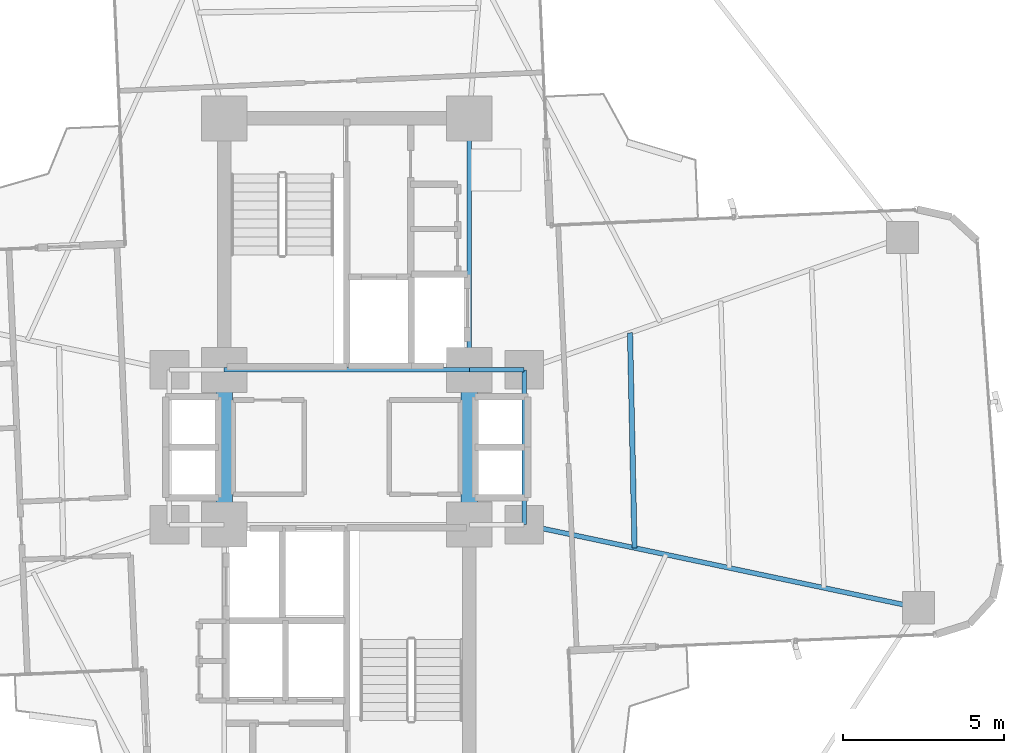
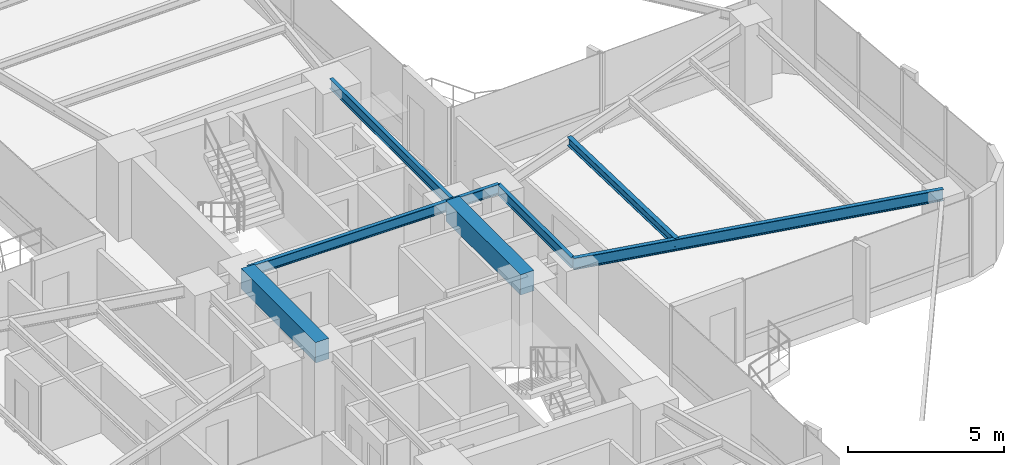
# One storey, part 12 of 26: 8 beams.
"""IFC4 building model written with IfcOpenShell, lengths in metres."""

from ifc_helpers import new_model, si_unit, direction, frame, origin, origin_2d, place, context, subcontext, project, spatial, rectangle, i_section, extrude, source, transform, mapped, material, material_profile, profile_set, type_object, element, save


model = new_model("IFC4")

# Units and contexts
model_context = context("Model", 3, precision=1e-05, world=origin(), true_north=direction((0.0, 1.0)))
body_context = subcontext(model_context, "Body", "Model", "MODEL_VIEW")
ifc_project = project(units=[si_unit("LENGTHUNIT", "METRE"), si_unit("AREAUNIT", "SQUARE_METRE"), si_unit("VOLUMEUNIT", "CUBIC_METRE"), si_unit("PLANEANGLEUNIT", "RADIAN"), si_unit("MASSUNIT", "GRAM", prefix="KILO")], contexts=[model_context])

# Site, building, storey
site_placement = place(None, origin())
site = spatial("IfcSite", under=ifc_project, at=site_placement, CompositionType="ELEMENT")
building_placement = place(site_placement, origin())
building = spatial("IfcBuilding", under=site, at=building_placement, Name="Sahyath Konkavel Grand Hotel", CompositionType="ELEMENT")
storey_placement = place(building_placement, frame((0.0, 0.0, 121.5)))
storey = spatial("IfcBuildingStorey", under=building, at=storey_placement, Name="L33", CompositionType="ELEMENT", Elevation=121.5)

# Beams
ifc_material_1 = material(Name="Steel E350", Category="steel")
ifc_material_profile_1 = material_profile(ifc_material_1, i_section(OverallWidth=0.139892578125, OverallDepth=0.39990234375, WebThickness=0.0087890625, FlangeThickness=0.01611328125, FilletRadius=0.013916015625, at=origin_2d()), Name="ISMB 400")
ifc_profile_set_1 = profile_set([ifc_material_profile_1], Name="Steel E350")
beam_type_1 = type_object("IfcBeamType", Name="BM-ISMB400", PredefinedType="BEAM", material=ifc_profile_set_1)
shared_shape_1 = source(origin(), body_context, "Body", "SweptSolid", [
    extrude(i_section(OverallWidth=0.139892578125, OverallDepth=0.39990234375, WebThickness=0.0087890625, FlangeThickness=0.01611328125, FilletRadius=0.013916015625, at=origin_2d()), origin(), (0.0, 0.0, 1.0), 7.60009765625),
])
beam_1_placement = place(storey_placement, frame((-3.800048828125, 2.39990234375, 2.909912109375), z_axis=(1.0, 0.0, 0.0), x_axis=(0.0, 1.0, 0.0)))
element("IfcBeam", 1, at=beam_1_placement, inside=storey, type_object=beam_type_1, Name="str:bm:L33:NC-S", PredefinedType="BEAM", context=body_context, shape_type="MappedRepresentation", body=[
    mapped(shared_shape_1, transform((0.0, 0.0, 0.0), scale=1.0)),
])
shared_shape_2 = source(origin(), body_context, "Body", "SweptSolid", [
    extrude(i_section(OverallWidth=0.139892578125, OverallDepth=0.39990234375, WebThickness=0.0087890625, FlangeThickness=0.01611328125, FilletRadius=0.013916015625, at=origin_2d()), origin(), (0.0, 0.0, 1.0), 7.800048828125),
])
beam_2_placement = place(storey_placement, frame((3.800048828125, 2.39990234375, 2.909912109375), z_axis=(0.0, 1.0, 0.0), x_axis=(-1.0, 0.0, 0.0)))
element("IfcBeam", 2, at=beam_2_placement, inside=storey, type_object=beam_type_1, Name="str:bm:L33:NC-E", PredefinedType="BEAM", context=body_context, shape_type="MappedRepresentation", body=[
    mapped(shared_shape_2, transform((0.0, 0.0, 0.0), scale=1.0)),
])
shared_shape_3 = source(origin(), body_context, "Body", "SweptSolid", [
    extrude(i_section(OverallWidth=0.139892578125, OverallDepth=0.39990234375, WebThickness=0.0087890625, FlangeThickness=0.01611328125, FilletRadius=0.013916015625, at=origin_2d()), origin(), (0.0, 0.0, 1.0), 1.699951171875),
])
beam_3_placement = place(storey_placement, frame((3.800048828125, 2.39990234375, 2.909912109375), z_axis=(1.0, 0.0, 0.0), x_axis=(0.0, 1.0, 0.0)))
element("IfcBeam", 3, at=beam_3_placement, inside=storey, type_object=beam_type_1, Name="str:bm:L33:HB-NE", PredefinedType="BEAM", context=body_context, shape_type="MappedRepresentation", body=[
    mapped(shared_shape_3, transform((0.0, 0.0, 0.0), scale=1.0)),
])
shared_shape_4 = source(origin(), body_context, "Body", "SweptSolid", [
    extrude(i_section(OverallWidth=0.139892578125, OverallDepth=0.39990234375, WebThickness=0.0087890625, FlangeThickness=0.01611328125, FilletRadius=0.013916015625, at=origin_2d()), origin(), (0.0, 0.0, 1.0), 4.7998046875),
])
beam_4_placement = place(storey_placement, frame((5.5, -2.39990234375, 2.909912109375), z_axis=(0.0, 1.0, 0.0), x_axis=(-1.0, 0.0, 0.0)))
element("IfcBeam", 4, at=beam_4_placement, inside=storey, type_object=beam_type_1, Name="str:bm:L33:HB-E", PredefinedType="BEAM", context=body_context, shape_type="MappedRepresentation", body=[
    mapped(shared_shape_4, transform((0.0, 0.0, 0.0), scale=1.0)),
])
ifc_material_2 = material(Name="Concrete C50/60", Category="concrete")
ifc_material_profile_2 = material_profile(ifc_material_2, rectangle(XDim=0.5, YDim=0.800048828125, at=origin_2d()), Name="RC 500x800")
ifc_profile_set_2 = profile_set([ifc_material_profile_2], Name="Concrete C50/60")
beam_type_2 = type_object("IfcBeamType", Name="BM-CB500x800", PredefinedType="LINTEL", material=ifc_profile_set_2)
shared_shape_5 = source(origin(), body_context, "Body", "SweptSolid", [
    extrude(rectangle(XDim=0.5, YDim=0.800048828125, at=origin_2d()), origin(), (0.0, 0.0, 1.0), 4.7998046875),
])
for number, where, z_axis, x_axis, name in (
    (5, (-3.800048828125, -2.39990234375, 2.7099609375), (0.0, 1.0, 0.0), (-1.0, 0.0, 0.0), "L33 Split-Core Coupling Beam West"),
    (6, (3.800048828125, -2.39990234375, 2.7099609375), (0.0, 1.0, 0.0), (-1.0, 0.0, 0.0), "L33 Split-Core Coupling Beam East"),
):
    element("IfcBeam", number, at=place(storey_placement, frame(where, z_axis=z_axis, x_axis=x_axis)), inside=storey, type_object=beam_type_2, Name=name, PredefinedType="LINTEL", context=body_context, shape_type="MappedRepresentation", body=[
        mapped(shared_shape_5, transform((0.0, 0.0, 0.0), scale=1.0)),
    ])
ifc_material_profile_3 = material_profile(ifc_material_1, i_section(OverallWidth=0.14990234375, OverallDepth=0.449951171875, WebThickness=0.009521484375, FlangeThickness=0.017333984375, FilletRadius=0.014892578125, at=origin_2d()), Name="ISMB 450")
ifc_profile_set_3 = profile_set([ifc_material_profile_3], Name="Steel E350")
beam_type_3 = type_object("IfcBeamType", Name="BM-ISMB450", PredefinedType="BEAM", material=ifc_profile_set_3)
shared_shape_6 = source(origin(), body_context, "Body", "SweptSolid", [
    extrude(i_section(OverallWidth=0.14990234375, OverallDepth=0.449951171875, WebThickness=0.009521484375, FlangeThickness=0.017333984375, FilletRadius=0.014892578125, at=origin_2d()), origin(), (0.0, 0.0, 1.0), 12.50341796875),
])
beam_5_placement = place(storey_placement, frame((5.5, -2.39990234375, 2.885009765625), z_axis=(0.978457911392, -0.206446398937, 0.0), x_axis=(0.206446398937, 0.978457911392, 0.0)))
element("IfcBeam", 7, at=beam_5_placement, inside=storey, type_object=beam_type_3, Name="L33 Cruciform Radial Girder EA", PredefinedType="BEAM", context=body_context, shape_type="MappedRepresentation", body=[
    mapped(shared_shape_6, transform((0.0, 0.0, 0.0), scale=1.0)),
])
ifc_material_profile_4 = material_profile(ifc_material_1, i_section(OverallWidth=0.1650390625, OverallDepth=0.324951171875, WebThickness=0.007080078125, FlangeThickness=0.009765625, FilletRadius=0.014892578125, at=origin_2d()), Name="ISLB 325")
ifc_profile_set_4 = profile_set([ifc_material_profile_4], Name="Steel E350")
beam_type_4 = type_object("IfcBeamType", Name="BM-ISLB325", PredefinedType="BEAM", material=ifc_profile_set_4)
shared_shape_7 = source(origin(), body_context, "Body", "SweptSolid", [
    extrude(i_section(OverallWidth=0.1650390625, OverallDepth=0.324951171875, WebThickness=0.007080078125, FlangeThickness=0.009765625, FilletRadius=0.014892578125, at=origin_2d()), origin(), (0.0, 0.0, 1.0), 6.674560546875),
])
beam_6_placement = place(storey_placement, frame((8.925537109375, -3.122802734375, 2.947509765625), z_axis=(-0.021032188543, 0.999778799058, 0.0), x_axis=(-0.999778799058, -0.021032188543, 0.0)))
element("IfcBeam", 8, at=beam_6_placement, inside=storey, type_object=beam_type_4, Name="L33 Secondary Floor Beam E-1", PredefinedType="BEAM", context=body_context, shape_type="MappedRepresentation", body=[
    mapped(shared_shape_7, transform((0.0, 0.0, 0.0), scale=1.0)),
])

save(model, "model.ifc")
